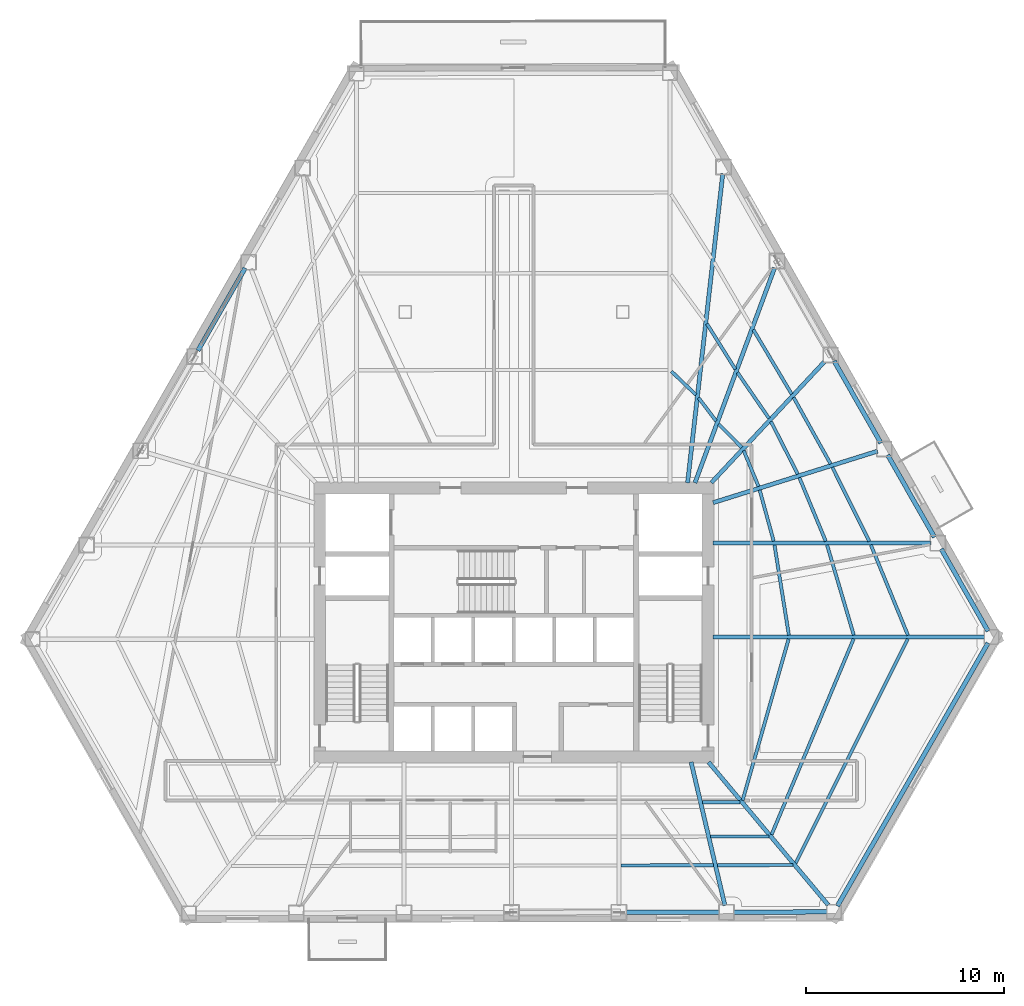
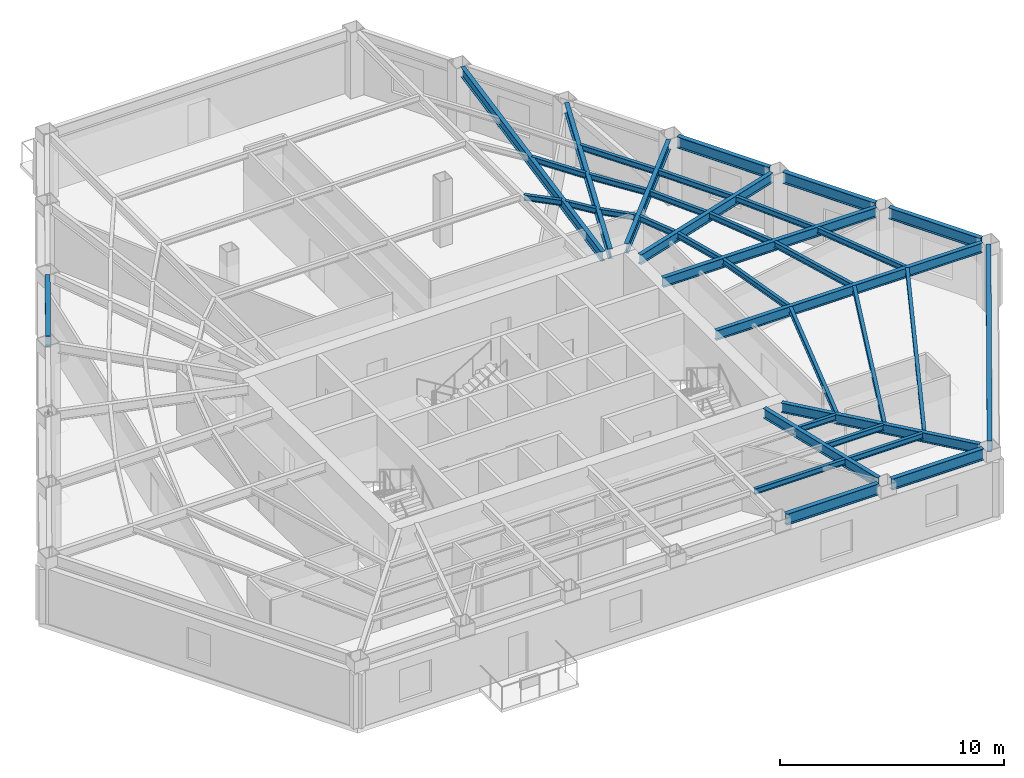
# One storey, part 3 of 14: 37 beams.
"""IFC4 building model written with IfcOpenShell, lengths in metres."""

import ifcopenshell
import ifcopenshell.guid

model = None  # the IFC model being written
_history = None  # IfcOwnerHistory: only IFC2X3 demands one
_inside = {}  # id of a spatial element -> (the spatial element, [elements in it])
_under = {}  # id of a project, library or spatial element -> (it, [spatial elements below it])
_declared = {}  # id of a project -> (the project, [libraries it declares])
_typed = {}  # id of a type object -> (the type object, [elements of that type])
_made_of = {}  # id of a material, layer set ... -> (it, [elements and type objects made of it])


def new_model(schema):
    """Start an empty IFC model of exactly this schema.

    Asked for "IFC4X3", IfcOpenShell would pick the latest addendum, in which some entities
    have other attributes; the version numbers below select the first issue.
    IFC2X3 requires an IfcOwnerHistory on every rooted entity: one is made here for all.
    """
    global model, _history
    if schema == "IFC4X3":
        model = ifcopenshell.file(schema_version=(4, 3, 0, 0))
    else:
        model = ifcopenshell.file(schema=schema)
    _inside.clear()
    _under.clear()
    _declared.clear()
    _typed.clear()
    _made_of.clear()
    _history = None
    if model.schema == "IFC2X3":
        org = make("IfcOrganization", Name="unknown")
        user = make(
            "IfcPersonAndOrganization",
            ThePerson=make("IfcPerson", FamilyName="unknown"),
            TheOrganization=org,
        )
        app = make(
            "IfcApplication",
            ApplicationDeveloper=org,
            Version="unknown",
            ApplicationFullName="unknown",
            ApplicationIdentifier="unknown",
        )
        _history = make(
            "IfcOwnerHistory",
            OwningUser=user,
            OwningApplication=app,
            ChangeAction="ADDED",
            CreationDate=0,
        )
    return model


def make(cls, **values):
    """One entity of the class cls with the attributes given. An attribute that is None is left unset."""
    return model.create_entity(
        cls, **{name: value for name, value in values.items() if value is not None}
    )


def rooted(cls, **values):
    """An entity with a GlobalId (a new one), such as an element, a storey or a relation."""
    return make(cls, GlobalId=ifcopenshell.guid.new(), OwnerHistory=_history, **values)


def si_unit(unit_type, name, prefix=None):
    """IfcSIUnit, for example si_unit("LENGTHUNIT", "METRE", prefix="MILLI")."""
    return make("IfcSIUnit", UnitType=unit_type, Prefix=prefix, Name=name)


def assignment(units):
    """IfcUnitAssignment: the units of a project."""
    return None if units is None else make("IfcUnitAssignment", Units=units)


def point(xyz):
    """IfcCartesianPoint."""
    return None if xyz is None else make("IfcCartesianPoint", Coordinates=xyz)


def direction(xyz):
    """IfcDirection."""
    return None if xyz is None else make("IfcDirection", DirectionRatios=xyz)


def frame(location, z_axis=None, x_axis=None):
    """IfcAxis2Placement3D, a coordinate frame: its origin and axes. An axis left out is left unset."""
    return make(
        "IfcAxis2Placement3D",
        Location=point(location),
        Axis=direction(z_axis),
        RefDirection=direction(x_axis),
    )


def frame_2d(location, x_axis=None):
    """IfcAxis2Placement2D, a coordinate frame in the plane: its origin and x axis."""
    return make(
        "IfcAxis2Placement2D", Location=point(location), RefDirection=direction(x_axis)
    )


def origin():
    """The frame at (0, 0, 0) with its axes left unset."""
    return frame((0.0, 0.0, 0.0))


def origin_2d():
    """The frame at (0, 0) in the plane with its x axis left unset."""
    return frame_2d((0.0, 0.0))


def place(relative_to, where):
    """IfcLocalPlacement: puts the frame where relative to a parent placement (None: the world)."""
    return make(
        "IfcLocalPlacement", PlacementRelTo=relative_to, RelativePlacement=where
    )


def context(
    kind, dimensions, precision=None, world=None, true_north=None, identifier=None
):
    """IfcGeometricRepresentationContext, for example the 3D "Model" context."""
    return make(
        "IfcGeometricRepresentationContext",
        ContextIdentifier=identifier,
        ContextType=kind,
        CoordinateSpaceDimension=dimensions,
        Precision=precision,
        WorldCoordinateSystem=world,
        TrueNorth=true_north,
    )


def subcontext(parent, identifier, kind, view, scale=None):
    """IfcGeometricRepresentationSubContext, for example "Body" below "Model"."""
    return make(
        "IfcGeometricRepresentationSubContext",
        ContextIdentifier=identifier,
        ContextType=kind,
        ParentContext=parent,
        TargetScale=scale,
        TargetView=view,
    )


def project(units=None, contexts=None):
    """IfcProject with its units and contexts."""
    return rooted(
        "IfcProject",
        Name="project",
        RepresentationContexts=contexts,
        UnitsInContext=assignment(units),
    )


def spatial(cls, under=None, at=None, **own):
    """A site, building, storey or space (cls), placed at a placement, below another one or the project."""
    s = rooted(cls, ObjectPlacement=at, **own)
    if under is not None:
        _under.setdefault(under.id(), (under, []))[1].append(s)
    return s


def profile(cls, at=None, kind="AREA", **sizes):
    """A parametric profile (cls). Its sizes go by their IFC names, for example OverallWidth=200.0."""
    return make(cls, ProfileType=kind, Position=at, **sizes)


def i_section(**sizes):
    """IfcIShapeProfileDef."""
    return profile("IfcIShapeProfileDef", **sizes)


def extrude(swept, where, along, depth):
    """IfcExtrudedAreaSolid: the profile swept, set in the frame where, extruded along a direction by depth."""
    return make(
        "IfcExtrudedAreaSolid",
        SweptArea=swept,
        Position=where,
        ExtrudedDirection=direction(along),
        Depth=depth,
    )


def shape(context_of_items, identifier, shape_type, items):
    """IfcShapeRepresentation: the items that make up one representation, for example the "Body"."""
    return make(
        "IfcShapeRepresentation",
        ContextOfItems=context_of_items,
        RepresentationIdentifier=identifier,
        RepresentationType=shape_type,
        Items=items,
    )


def material(Name=None, Category=None):
    """IfcMaterial."""
    return make("IfcMaterial", Name=Name, Category=Category)


def material_profile(
    of_material, cross_section, Name=None, Category=None, Priority=None
):
    """IfcMaterialProfile: a cross section and its material."""
    return make(
        "IfcMaterialProfile",
        Name=Name,
        Material=of_material,
        Profile=cross_section,
        Priority=Priority,
        Category=Category,
    )


def profile_set(profiles, Name=None, composite=None):
    """IfcMaterialProfileSet."""
    return make(
        "IfcMaterialProfileSet",
        Name=Name,
        MaterialProfiles=profiles,
        CompositeProfile=composite,
    )


def made_of(thing, what):
    """Note that an element or type object is made of a material, layer set ...; save() writes the relation."""
    if what is not None:
        _made_of.setdefault(what.id(), (what, []))[1].append(thing)
    return thing


def type_object(cls, material=None, **own):
    """A type object (cls), such as IfcWallType, which elements share."""
    return made_of(rooted(cls, **own), material)


def element(
    cls,
    number,
    at=None,
    inside=None,
    cuts=None,
    type_object=None,
    material=None,
    context=None,
    identifier="Body",
    shape_type=None,
    held_by="IfcProductDefinitionShape",
    body=None,
    shapes=None,
    **own,
):
    """One element of the class cls, such as IfcWall. Its Tag is "e" and its number.

    at: its placement. inside: the storey or other place that contains it. cuts: it is an
    opening in that element (IfcRelVoidsElement). A single representation is given by context,
    identifier, shape_type and body (its items); several are given by shapes. held_by: the class
    of the entity that holds the representations. save() writes the other relations.
    """
    e = rooted(cls, Tag="e%d" % number, ObjectPlacement=at, **own)
    if body is not None:
        shapes = [shape(context, identifier, shape_type, body)]
    if shapes is not None:
        e.Representation = make(held_by, Representations=shapes)
    if inside is not None:
        _inside.setdefault(inside.id(), (inside, []))[1].append(e)
    if cuts is not None:
        rooted(
            "IfcRelVoidsElement", RelatingBuildingElement=cuts, RelatedOpeningElement=e
        )
    if type_object is not None:
        _typed.setdefault(type_object.id(), (type_object, []))[1].append(e)
    return made_of(e, material)


def aggregate(whole, parts):
    """IfcRelAggregates: a whole, such as a stair, and the parts it consists of."""
    return rooted("IfcRelAggregates", RelatingObject=whole, RelatedObjects=parts)


def save(model, path):
    """Write the relations noted so far, then the file.

    IfcRelAggregates (storeys below a building ...), IfcRelContainedInSpatialStructure (elements
    in a storey), IfcRelDefinesByType, IfcRelAssociatesMaterial and IfcRelDeclares: one each for
    every whole, place, type object, material and project.
    """
    for whole, parts in _under.values():
        aggregate(whole, parts)
    for where, things in _inside.values():
        rooted(
            "IfcRelContainedInSpatialStructure",
            RelatedElements=things,
            RelatingStructure=where,
        )
    for kind, things in _typed.values():
        rooted("IfcRelDefinesByType", RelatedObjects=things, RelatingType=kind)
    for what, things in _made_of.values():
        rooted("IfcRelAssociatesMaterial", RelatedObjects=things, RelatingMaterial=what)
    for by, libraries in _declared.values():
        rooted("IfcRelDeclares", RelatingContext=by, RelatedDefinitions=libraries)
    model.write(path)


model = new_model("IFC4")

# Units and contexts
model_context = context("Model", 3, precision=1e-05, world=origin(), true_north=direction((0.0, 1.0)))
body_context = subcontext(model_context, "Body", "Model", "MODEL_VIEW")
ifc_project = project(units=[si_unit("LENGTHUNIT", "METRE"), si_unit("AREAUNIT", "SQUARE_METRE"), si_unit("VOLUMEUNIT", "CUBIC_METRE"), si_unit("PLANEANGLEUNIT", "RADIAN"), si_unit("MASSUNIT", "GRAM", prefix="KILO")], contexts=[model_context])

# Site, building, storey
site_placement = place(None, origin())
site = spatial("IfcSite", under=ifc_project, at=site_placement, CompositionType="ELEMENT")
building_placement = place(site_placement, origin())
building = spatial("IfcBuilding", under=site, at=building_placement, Name="Kavelnor Concourse Tower", CompositionType="ELEMENT")
storey_placement = place(building_placement, frame((0.0, 0.0, 17.550048828125)))
storey = spatial("IfcBuildingStorey", under=building, at=storey_placement, Name="L04", CompositionType="ELEMENT", Elevation=17.550048828125)

# Beams
ifc_material = material(Name="Steel Grade 350", Category="steel")
ifc_material_profile_1 = material_profile(ifc_material, i_section(OverallWidth=0.166015625, OverallDepth=0.306884765625, WebThickness=0.006591796875, FlangeThickness=0.01171875, at=origin_2d()), Name="310UB46")
ifc_profile_set_1 = profile_set([ifc_material_profile_1], Name="Steel Grade 350")
beam_type_1 = type_object("IfcBeamType", Name="BM-JOIST-310", PredefinedType="JOIST", material=ifc_profile_set_1)
beam_1_placement = place(storey_placement, frame((43.413330078125, 3.80908203125, 3.4365234375), z_axis=(0.999998335545, 0.001824529101, 0.0), x_axis=(-0.001824529101, 0.999998335545, 0.0)))
element("IfcBeam", 1, at=beam_1_placement, inside=storey, type_object=beam_type_1, Name="L04 Secondary Composite Joist 06-3", PredefinedType="JOIST", context=body_context, shape_type="SweptSolid", body=[
    extrude(i_section(OverallWidth=0.166015625, OverallDepth=0.306884765625, WebThickness=0.006591796875, FlangeThickness=0.01171875, at=origin_2d()), origin(), (0.0, 0.0, 1.0), 4.683349609375),
])
beam_2_placement = place(storey_placement, frame((47.54150390625, 7.008544921875, 3.4365234375), z_axis=(0.999999991786, -0.000128172262, 0.0), x_axis=(0.000128172262, 0.999999991786, 0.0)))
element("IfcBeam", 2, at=beam_2_placement, inside=storey, type_object=beam_type_1, Name="L04 Secondary Composite Joist 07-1", PredefinedType="JOIST", context=body_context, shape_type="SweptSolid", body=[
    extrude(i_section(OverallWidth=0.166015625, OverallDepth=0.306884765625, WebThickness=0.006591796875, FlangeThickness=0.01171875, at=origin_2d()), origin(), (0.0, 0.0, 1.0), 1.90478515625),
])
beam_3_placement = place(storey_placement, frame((47.95166015625, 5.268310546875, 3.4365234375), z_axis=(0.999997854611, 0.002071418209, 0.0), x_axis=(-0.002071418209, 0.999997854611, 0.0)))
element("IfcBeam", 3, at=beam_3_placement, inside=storey, type_object=beam_type_1, Name="L04 Secondary Composite Joist 07-2", PredefinedType="JOIST", context=body_context, shape_type="SweptSolid", body=[
    extrude(i_section(OverallWidth=0.166015625, OverallDepth=0.306884765625, WebThickness=0.006591796875, FlangeThickness=0.01171875, at=origin_2d()), origin(), (0.0, 0.0, 1.0), 2.946533203125),
])
beam_4_placement = place(storey_placement, frame((48.293701171875, 3.818115234375, 3.4365234375), z_axis=(0.999995475999, 0.003007986392, 0.0), x_axis=(-0.003007986392, 0.999995475999, 0.0)))
element("IfcBeam", 4, at=beam_4_placement, inside=storey, type_object=beam_type_1, Name="L04 Secondary Composite Joist 07-3", PredefinedType="JOIST", context=body_context, shape_type="SweptSolid", body=[
    extrude(i_section(OverallWidth=0.166015625, OverallDepth=0.306884765625, WebThickness=0.006591796875, FlangeThickness=0.01171875, at=origin_2d()), origin(), (0.0, 0.0, 1.0), 3.814697265625),
])
beam_5_placement = place(storey_placement, frame((49.57177734375, 7.102783203125, 3.4365234375), z_axis=(0.274215804622, 0.961668182117, 0.0), x_axis=(-0.961668182117, 0.274215804622, 0.0)))
element("IfcBeam", 5, at=beam_5_placement, inside=storey, type_object=beam_type_1, Name="L04 Secondary Composite Joist 08-1", PredefinedType="JOIST", context=body_context, shape_type="SweptSolid", body=[
    extrude(i_section(OverallWidth=0.166015625, OverallDepth=0.306884765625, WebThickness=0.006591796875, FlangeThickness=0.01171875, at=origin_2d()), origin(), (0.0, 0.0, 1.0), 8.487548828125),
])
beam_6_placement = place(storey_placement, frame((51.034912109375, 5.365478515625, 3.4365234375), z_axis=(0.386480903374, 0.922297409368, 0.0), x_axis=(-0.922297409368, 0.386480903374, 0.0)))
element("IfcBeam", 6, at=beam_6_placement, inside=storey, type_object=beam_type_1, Name="L04 Secondary Composite Joist 08-2", PredefinedType="JOIST", context=body_context, shape_type="SweptSolid", body=[
    extrude(i_section(OverallWidth=0.166015625, OverallDepth=0.306884765625, WebThickness=0.006591796875, FlangeThickness=0.01171875, at=origin_2d()), origin(), (0.0, 0.0, 1.0), 10.737548828125),
])
beam_7_placement = place(storey_placement, frame((52.250732421875, 3.918212890625, 3.4365234375), z_axis=(0.447113571599, 0.89447719596, 0.0), x_axis=(-0.89447719596, 0.447113571599, 0.0)))
element("IfcBeam", 7, at=beam_7_placement, inside=storey, type_object=beam_type_1, Name="L04 Secondary Composite Joist 08-3", PredefinedType="JOIST", context=body_context, shape_type="SweptSolid", body=[
    extrude(i_section(OverallWidth=0.166015625, OverallDepth=0.306884765625, WebThickness=0.006591796875, FlangeThickness=0.01171875, at=origin_2d()), origin(), (0.0, 0.0, 1.0), 12.692626953125),
])
beam_8_placement = place(storey_placement, frame((51.91064453125, 15.456787109375, 3.4365234375), z_axis=(-0.157588439027, 0.987504877904, 0.0), x_axis=(-0.987504877904, -0.157588439027, 0.0)))
element("IfcBeam", 8, at=beam_8_placement, inside=storey, type_object=beam_type_1, Name="L04 Secondary Composite Joist 09-1", PredefinedType="JOIST", context=body_context, shape_type="SweptSolid", body=[
    extrude(i_section(OverallWidth=0.166015625, OverallDepth=0.306884765625, WebThickness=0.006591796875, FlangeThickness=0.01171875, at=origin_2d()), origin(), (0.0, 0.0, 1.0), 4.6181640625),
])
beam_9_placement = place(storey_placement, frame((55.194580078125, 15.4541015625, 3.4365234375), z_axis=(-0.284105784012, 0.958792940885, 0.0), x_axis=(-0.958792940885, -0.284105784012, 0.0)))
element("IfcBeam", 9, at=beam_9_placement, inside=storey, type_object=beam_type_1, Name="L04 Secondary Composite Joist 09-2", PredefinedType="JOIST", context=body_context, shape_type="SweptSolid", body=[
    extrude(i_section(OverallWidth=0.166015625, OverallDepth=0.306884765625, WebThickness=0.006591796875, FlangeThickness=0.01171875, at=origin_2d()), origin(), (0.0, 0.0, 1.0), 4.762451171875),
])
beam_10_placement = place(storey_placement, frame((57.9326171875, 15.45068359375, 3.4365234375), z_axis=(-0.379636573704, 0.92513570459, 0.0), x_axis=(-0.92513570459, -0.379636573704, 0.0)))
element("IfcBeam", 10, at=beam_10_placement, inside=storey, type_object=beam_type_1, Name="L04 Secondary Composite Joist 09-3", PredefinedType="JOIST", context=body_context, shape_type="SweptSolid", body=[
    extrude(i_section(OverallWidth=0.166015625, OverallDepth=0.306884765625, WebThickness=0.006591796875, FlangeThickness=0.01171875, at=origin_2d()), origin(), (0.0, 0.0, 1.0), 4.94287109375),
])
beam_11_placement = place(storey_placement, frame((51.141357421875, 20.209716796875, 3.4365234375), z_axis=(-0.263719203399, 0.964599492929, 0.0), x_axis=(-0.964599492929, -0.263719203399, 0.0)))
element("IfcBeam", 11, at=beam_11_placement, inside=storey, type_object=beam_type_1, Name="L04 Secondary Composite Joist 10-1", PredefinedType="JOIST", context=body_context, shape_type="SweptSolid", body=[
    extrude(i_section(OverallWidth=0.166015625, OverallDepth=0.306884765625, WebThickness=0.006591796875, FlangeThickness=0.01171875, at=origin_2d()), origin(), (0.0, 0.0, 1.0), 2.67724609375),
])
beam_12_placement = place(storey_placement, frame((53.77587890625, 20.20556640625, 3.4365234375), z_axis=(-0.383160962575, 0.923681588405, 0.0), x_axis=(-0.923681588405, -0.383160962575, 0.0)))
element("IfcBeam", 12, at=beam_12_placement, inside=storey, type_object=beam_type_1, Name="L04 Secondary Composite Joist 10-2", PredefinedType="JOIST", context=body_context, shape_type="SweptSolid", body=[
    extrude(i_section(OverallWidth=0.166015625, OverallDepth=0.306884765625, WebThickness=0.006591796875, FlangeThickness=0.01171875, at=origin_2d()), origin(), (0.0, 0.0, 1.0), 3.4814453125),
])
beam_13_placement = place(storey_placement, frame((55.974853515625, 20.202880859375, 3.4365234375), z_axis=(-0.445905066778, 0.895080259766, 0.0), x_axis=(-0.895080259766, -0.445905066778, 0.0)))
element("IfcBeam", 13, at=beam_13_placement, inside=storey, type_object=beam_type_1, Name="L04 Secondary Composite Joist 10-3", PredefinedType="JOIST", context=body_context, shape_type="SweptSolid", body=[
    extrude(i_section(OverallWidth=0.166015625, OverallDepth=0.306884765625, WebThickness=0.006591796875, FlangeThickness=0.01171875, at=origin_2d()), origin(), (0.0, 0.0, 1.0), 4.180908203125),
])
beam_14_placement = place(storey_placement, frame((50.371826171875, 22.978515625, 3.4365234375), z_axis=(-0.379701493685, 0.925109061513, 0.0), x_axis=(-0.925109061513, -0.379701493685, 0.0)))
element("IfcBeam", 14, at=beam_14_placement, inside=storey, type_object=beam_type_1, Name="L04 Secondary Composite Joist 11-1", PredefinedType="JOIST", context=body_context, shape_type="SweptSolid", body=[
    extrude(i_section(OverallWidth=0.166015625, OverallDepth=0.306884765625, WebThickness=0.006591796875, FlangeThickness=0.01171875, at=origin_2d()), origin(), (0.0, 0.0, 1.0), 1.95654296875),
])
beam_15_placement = place(storey_placement, frame((52.359619140625, 23.60009765625, 3.4365234375), z_axis=(-0.454175979018, 0.890911993455, 0.0), x_axis=(-0.890911993455, -0.454175979018, 0.0)))
element("IfcBeam", 15, at=beam_15_placement, inside=storey, type_object=beam_type_1, Name="L04 Secondary Composite Joist 11-2", PredefinedType="JOIST", context=body_context, shape_type="SweptSolid", body=[
    extrude(i_section(OverallWidth=0.166015625, OverallDepth=0.306884765625, WebThickness=0.006591796875, FlangeThickness=0.01171875, at=origin_2d()), origin(), (0.0, 0.0, 1.0), 2.981689453125),
])
beam_16_placement = place(storey_placement, frame((54.018798828125, 24.119384765625, 3.4365234375), z_axis=(-0.486273599148, 0.873806607192, 0.0), x_axis=(-0.873806607192, -0.486273599148, 0.0)))
element("IfcBeam", 16, at=beam_16_placement, inside=storey, type_object=beam_type_1, Name="L04 Secondary Composite Joist 11-3", PredefinedType="JOIST", context=body_context, shape_type="SweptSolid", body=[
    extrude(i_section(OverallWidth=0.166015625, OverallDepth=0.306884765625, WebThickness=0.006591796875, FlangeThickness=0.01171875, at=origin_2d()), origin(), (0.0, 0.0, 1.0), 3.8447265625),
])
beam_17_placement = place(storey_placement, frame((49.522705078125, 24.949951171875, 3.4365234375), z_axis=(-0.700172688104, 0.713973533707, 0.0), x_axis=(-0.713973533707, -0.700172688104, 0.0)))
element("IfcBeam", 17, at=beam_17_placement, inside=storey, type_object=beam_type_1, Name="L04 Secondary Composite Joist 12-1", PredefinedType="JOIST", context=body_context, shape_type="SweptSolid", body=[
    extrude(i_section(OverallWidth=0.166015625, OverallDepth=0.306884765625, WebThickness=0.006591796875, FlangeThickness=0.01171875, at=origin_2d()), origin(), (0.0, 0.0, 1.0), 1.662841796875),
])
beam_18_placement = place(storey_placement, frame((50.904541015625, 26.425537109375, 3.4365234375), z_axis=(-0.567462549465, 0.823399207526, 0.0), x_axis=(-0.823399207526, -0.567462549465, 0.0)))
element("IfcBeam", 18, at=beam_18_placement, inside=storey, type_object=beam_type_1, Name="L04 Secondary Composite Joist 12-2", PredefinedType="JOIST", context=body_context, shape_type="SweptSolid", body=[
    extrude(i_section(OverallWidth=0.166015625, OverallDepth=0.306884765625, WebThickness=0.006591796875, FlangeThickness=0.01171875, at=origin_2d()), origin(), (0.0, 0.0, 1.0), 2.806396484375),
])
beam_19_placement = place(storey_placement, frame((52.05078125, 27.649658203125, 3.4365234375), z_axis=(-0.51136724713, 0.859362285979, 0.0), x_axis=(-0.859362285979, -0.51136724713, 0.0)))
element("IfcBeam", 19, at=beam_19_placement, inside=storey, type_object=beam_type_1, Name="L04 Secondary Composite Joist 12-3", PredefinedType="JOIST", context=body_context, shape_type="SweptSolid", body=[
    extrude(i_section(OverallWidth=0.166015625, OverallDepth=0.306884765625, WebThickness=0.006591796875, FlangeThickness=0.01171875, at=origin_2d()), origin(), (0.0, 0.0, 1.0), 3.791259765625),
])
beam_20_placement = place(storey_placement, frame((48.22998046875, 26.2861328125, 3.4365234375), z_axis=(-0.60246880322, 0.798142431616, 0.0), x_axis=(-0.798142431616, -0.60246880322, 0.0)))
element("IfcBeam", 20, at=beam_20_placement, inside=storey, type_object=beam_type_1, Name="L04 Secondary Composite Joist 13-1", PredefinedType="JOIST", context=body_context, shape_type="SweptSolid", body=[
    extrude(i_section(OverallWidth=0.166015625, OverallDepth=0.306884765625, WebThickness=0.006591796875, FlangeThickness=0.01171875, at=origin_2d()), origin(), (0.0, 0.0, 1.0), 1.4697265625),
])
beam_21_placement = place(storey_placement, frame((49.203857421875, 28.90087890625, 3.4365234375), z_axis=(-0.529514407709, 0.848300944258, 0.0), x_axis=(-0.848300944258, -0.529514407709, 0.0)))
element("IfcBeam", 21, at=beam_21_placement, inside=storey, type_object=beam_type_1, Name="L04 Secondary Composite Joist 13-2", PredefinedType="JOIST", context=body_context, shape_type="SweptSolid", body=[
    extrude(i_section(OverallWidth=0.166015625, OverallDepth=0.306884765625, WebThickness=0.006591796875, FlangeThickness=0.01171875, at=origin_2d()), origin(), (0.0, 0.0, 1.0), 2.718017578125),
])
beam_22_placement = place(storey_placement, frame((47.214111328125, 27.606201171875, 3.4365234375), z_axis=(-0.721935229887, 0.691960637499, 0.0), x_axis=(-0.691960637499, -0.721935229887, 0.0)))
element("IfcBeam", 22, at=beam_22_placement, inside=storey, type_object=beam_type_1, Name="L04 Secondary Composite Joist 14-1", PredefinedType="JOIST", context=body_context, shape_type="SweptSolid", body=[
    extrude(i_section(OverallWidth=0.166015625, OverallDepth=0.306884765625, WebThickness=0.006591796875, FlangeThickness=0.01171875, at=origin_2d()), origin(), (0.0, 0.0, 1.0), 1.726806640625),
])
ifc_material_profile_2 = material_profile(ifc_material, i_section(OverallWidth=0.208984375, OverallDepth=0.528076171875, WebThickness=0.009521484375, FlangeThickness=0.01318359375, at=origin_2d()), Name="530UB82")
ifc_profile_set_2 = profile_set([ifc_material_profile_2], Name="Steel Grade 350")
beam_type_2 = type_object("IfcBeamType", Name="BM-PRIMARY-530", PredefinedType="BEAM", material=ifc_profile_set_2)
beam_23_placement = place(storey_placement, frame((46.96435546875, 9.038818359375, 3.325927734375), z_axis=(0.229428374673, -0.973325547232, 0.0), x_axis=(0.973325547232, 0.229428374673, 0.0)))
element("IfcBeam", 23, at=beam_23_placement, inside=storey, type_object=beam_type_2, Name="L04 Primary Floor Girder F1-B5", PredefinedType="BEAM", context=body_context, shape_type="SweptSolid", body=[
    extrude(i_section(OverallWidth=0.208984375, OverallDepth=0.528076171875, WebThickness=0.009521484375, FlangeThickness=0.01318359375, at=origin_2d()), origin(), (0.0, 0.0, 1.0), 7.449951171875),
])
beam_24_placement = place(storey_placement, frame((47.8505859375, 9.03076171875, 3.325927734375), z_axis=(0.64212439869, -0.766600454348, 0.0), x_axis=(0.766600454348, 0.64212439869, 0.0)))
element("IfcBeam", 24, at=beam_24_placement, inside=storey, type_object=beam_type_2, Name="L04 Primary Floor Girder F1-B6", PredefinedType="BEAM", context=body_context, shape_type="SweptSolid", body=[
    extrude(i_section(OverallWidth=0.208984375, OverallDepth=0.528076171875, WebThickness=0.009521484375, FlangeThickness=0.01318359375, at=origin_2d()), origin(), (0.0, 0.0, 1.0), 9.42236328125),
])
beam_25_placement = place(storey_placement, frame((48.080078125, 15.359619140625, 3.325927734375), z_axis=(1.0, 0.0, 0.0), x_axis=(0.0, 1.0, 0.0)))
element("IfcBeam", 25, at=beam_25_placement, inside=storey, type_object=beam_type_2, Name="L04 Primary Floor Girder F2-B0", PredefinedType="BEAM", context=body_context, shape_type="SweptSolid", body=[
    extrude(i_section(OverallWidth=0.208984375, OverallDepth=0.528076171875, WebThickness=0.009521484375, FlangeThickness=0.01318359375, at=origin_2d()), origin(), (0.0, 0.0, 1.0), 13.73583984375),
])
beam_26_placement = place(storey_placement, frame((48.080078125, 20.114501953125, 3.325927734375), z_axis=(1.0, 0.0, 0.0), x_axis=(0.0, 1.0, 0.0)))
element("IfcBeam", 26, at=beam_26_placement, inside=storey, type_object=beam_type_2, Name="L04 Primary Floor Girder F2-B1", PredefinedType="BEAM", context=body_context, shape_type="SweptSolid", body=[
    extrude(i_section(OverallWidth=0.208984375, OverallDepth=0.528076171875, WebThickness=0.009521484375, FlangeThickness=0.01318359375, at=origin_2d()), origin(), (0.0, 0.0, 1.0), 11.026123046875),
])
beam_27_placement = place(storey_placement, frame((48.081787109375, 22.157958984375, 3.325927734375), z_axis=(0.954248297162, 0.299015363088, 0.0), x_axis=(-0.299015363088, 0.954248297162, 0.0)))
element("IfcBeam", 27, at=beam_27_placement, inside=storey, type_object=beam_type_2, Name="L04 Primary Floor Girder F2-B2", PredefinedType="BEAM", context=body_context, shape_type="SweptSolid", body=[
    extrude(i_section(OverallWidth=0.208984375, OverallDepth=0.528076171875, WebThickness=0.009521484375, FlangeThickness=0.01318359375, at=origin_2d()), origin(), (0.0, 0.0, 1.0), 8.7109375),
])
beam_28_placement = place(storey_placement, frame((47.994384765625, 23.1708984375, 3.325927734375), z_axis=(0.682826235595, 0.730580818242, 0.0), x_axis=(-0.730580818242, 0.682826235595, 0.0)))
element("IfcBeam", 28, at=beam_28_placement, inside=storey, type_object=beam_type_2, Name="L04 Primary Floor Girder F2-B3", PredefinedType="BEAM", context=body_context, shape_type="SweptSolid", body=[
    extrude(i_section(OverallWidth=0.208984375, OverallDepth=0.528076171875, WebThickness=0.009521484375, FlangeThickness=0.01318359375, at=origin_2d()), origin(), (0.0, 0.0, 1.0), 8.353759765625),
])
beam_29_placement = place(storey_placement, frame((47.16162109375, 23.16259765625, 3.325927734375), z_axis=(0.347325326501, 0.937744697437, 0.0), x_axis=(-0.937744697437, 0.347325326501, 0.0)))
element("IfcBeam", 29, at=beam_29_placement, inside=storey, type_object=beam_type_2, Name="L04 Primary Floor Girder F2-B4", PredefinedType="BEAM", context=body_context, shape_type="SweptSolid", body=[
    extrude(i_section(OverallWidth=0.208984375, OverallDepth=0.528076171875, WebThickness=0.009521484375, FlangeThickness=0.01318359375, at=origin_2d()), origin(), (0.0, 0.0, 1.0), 11.5966796875),
])
beam_30_placement = place(storey_placement, frame((46.786376953125, 23.160400390625, 3.325927734375), z_axis=(0.113184703934, 0.993573964431, 0.0), x_axis=(-0.993573964431, 0.113184703934, 0.0)))
element("IfcBeam", 30, at=beam_30_placement, inside=storey, type_object=beam_type_2, Name="L04 Primary Floor Girder F2-B5", PredefinedType="BEAM", context=body_context, shape_type="SweptSolid", body=[
    extrude(i_section(OverallWidth=0.208984375, OverallDepth=0.528076171875, WebThickness=0.009521484375, FlangeThickness=0.01318359375, at=origin_2d()), origin(), (0.0, 0.0, 1.0), 15.7353515625),
])
ifc_material_profile_3 = material_profile(ifc_material, i_section(OverallWidth=0.22900390625, OverallDepth=0.612060546875, WebThickness=0.011962890625, FlangeThickness=0.01953125, at=origin_2d()), Name="610UB125")
ifc_profile_set_3 = profile_set([ifc_material_profile_3], Name="Steel Grade 350")
beam_type_3 = type_object("IfcBeamType", Name="BM-SPANDREL-Z1", PredefinedType="SPANDREL", material=ifc_profile_set_3)
beam_31_placement = place(storey_placement, frame((24.40869140625, 34.02099609375, 3.283935546875), z_axis=(-0.497014344465, -0.867742324308, 0.0), x_axis=(0.867742324308, -0.497014344465, 0.0)))
element("IfcBeam", 31, at=beam_31_placement, inside=storey, type_object=beam_type_3, Name="L04 Perimeter Tube Spandrel Beam F0-B2", PredefinedType="SPANDREL", context=body_context, shape_type="SweptSolid", body=[
    extrude(i_section(OverallWidth=0.22900390625, OverallDepth=0.612060546875, WebThickness=0.011962890625, FlangeThickness=0.01953125, at=origin_2d()), origin(), (0.0, 0.0, 1.0), 4.80419921875),
])
for number, where, z_axis, x_axis, name in (
    (32, (43.659912109375, 1.435302734375, 3.283935546875), (0.99999766926, 0.002159044986, 0.0), (-0.002159044986, 0.99999766926, 0.0), "L04 Perimeter Tube Spandrel Beam F1-B4"),
    (33, (49.09912109375, 1.447021484375, 3.283935546875), (0.999997556951, 0.002210450571, 0.0), (-0.002210450571, 0.999997556951, 0.0), "L04 Perimeter Tube Spandrel Beam F1-B5"),
):
    element("IfcBeam", number, at=place(storey_placement, frame(where, z_axis=z_axis, x_axis=x_axis)), inside=storey, type_object=beam_type_3, Name=name, PredefinedType="SPANDREL", context=body_context, shape_type="SweptSolid", body=[
        extrude(i_section(OverallWidth=0.22900390625, OverallDepth=0.612060546875, WebThickness=0.011962890625, FlangeThickness=0.01953125, at=origin_2d()), origin(), (0.0, 0.0, 1.0), 4.749267578125),
    ])
for number, where, z_axis, x_axis, name in (
    (34, (61.985107421875, 15.6591796875, 3.283935546875), (-0.49510518737, 0.868833041176, 0.0), (-0.868833041176, -0.49510518737, 0.0), "L04 Perimeter Tube Spandrel Beam F2-B0"),
    (35, (59.275390625, 20.414306640625, 3.283935546875), (-0.495143715855, 0.868811084557, 0.0), (-0.868811084557, -0.495143715855, 0.0), "L04 Perimeter Tube Spandrel Beam F2-B1"),
):
    element("IfcBeam", number, at=place(storey_placement, frame(where, z_axis=z_axis, x_axis=x_axis)), inside=storey, type_object=beam_type_3, Name=name, PredefinedType="SPANDREL", context=body_context, shape_type="SweptSolid", body=[
        extrude(i_section(OverallWidth=0.22900390625, OverallDepth=0.612060546875, WebThickness=0.011962890625, FlangeThickness=0.01953125, at=origin_2d()), origin(), (0.0, 0.0, 1.0), 4.783203125),
    ])
beam_32_placement = place(storey_placement, frame((56.565185546875, 25.16943359375, 3.283935546875), z_axis=(-0.495127144505, 0.868820528518, 0.0), x_axis=(-0.868820528518, -0.495127144505, 0.0)))
element("IfcBeam", 36, at=beam_32_placement, inside=storey, type_object=beam_type_3, Name="L04 Perimeter Tube Spandrel Beam F2-B2", PredefinedType="SPANDREL", context=body_context, shape_type="SweptSolid", body=[
    extrude(i_section(OverallWidth=0.22900390625, OverallDepth=0.612060546875, WebThickness=0.011962890625, FlangeThickness=0.01953125, at=origin_2d()), origin(), (0.0, 0.0, 1.0), 4.782958984375),
])
beam_33_placement = place(storey_placement, frame((54.364990234375, 1.757568359375, 3.283935546875), z_axis=(0.497027062609, 0.867735039649, 0.0), x_axis=(-0.867735039649, 0.497027062609, 0.0)))
element("IfcBeam", 37, at=beam_33_placement, inside=storey, type_object=beam_type_3, Name="L04 Chamfer Facet Spandrel Beam C2", PredefinedType="SPANDREL", context=body_context, shape_type="SweptSolid", body=[
    extrude(i_section(OverallWidth=0.22900390625, OverallDepth=0.612060546875, WebThickness=0.011962890625, FlangeThickness=0.01953125, at=origin_2d()), origin(), (0.0, 0.0, 1.0), 15.330322265625),
])

save(model, "model.ifc")
